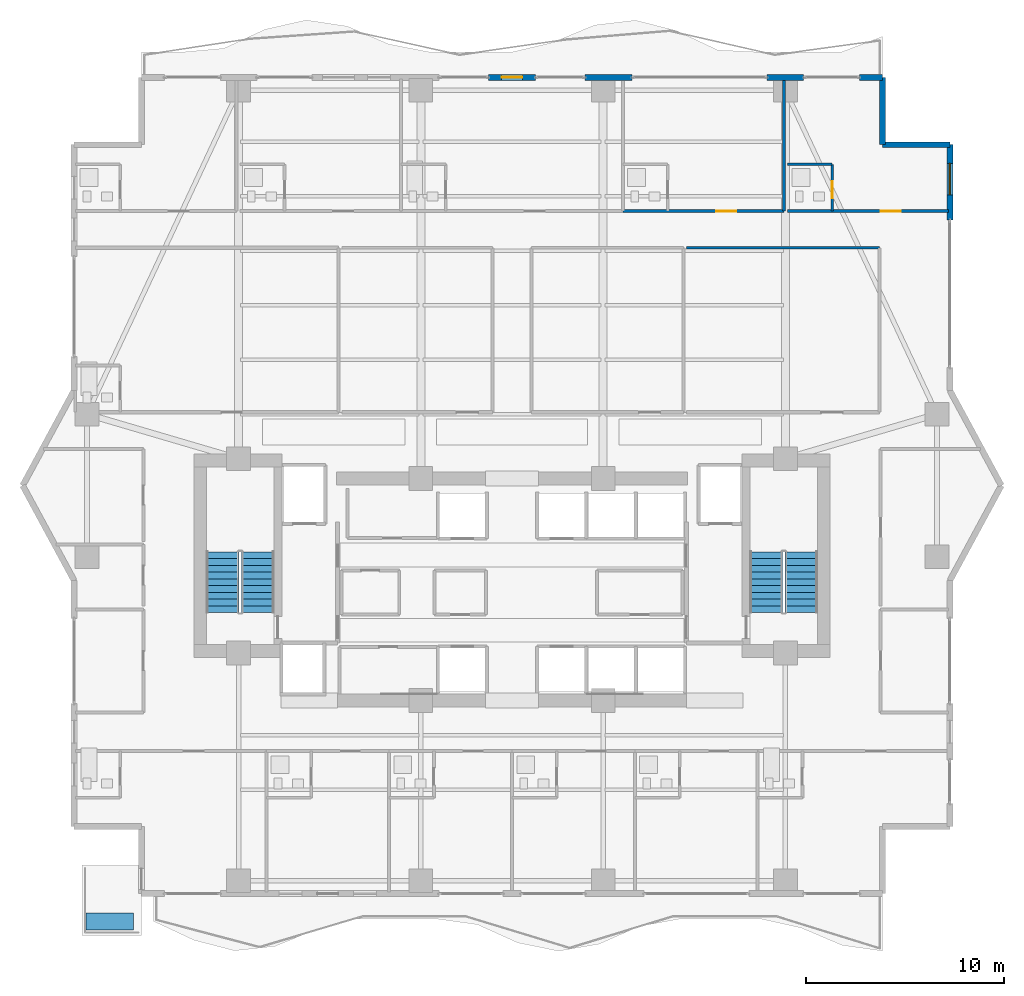
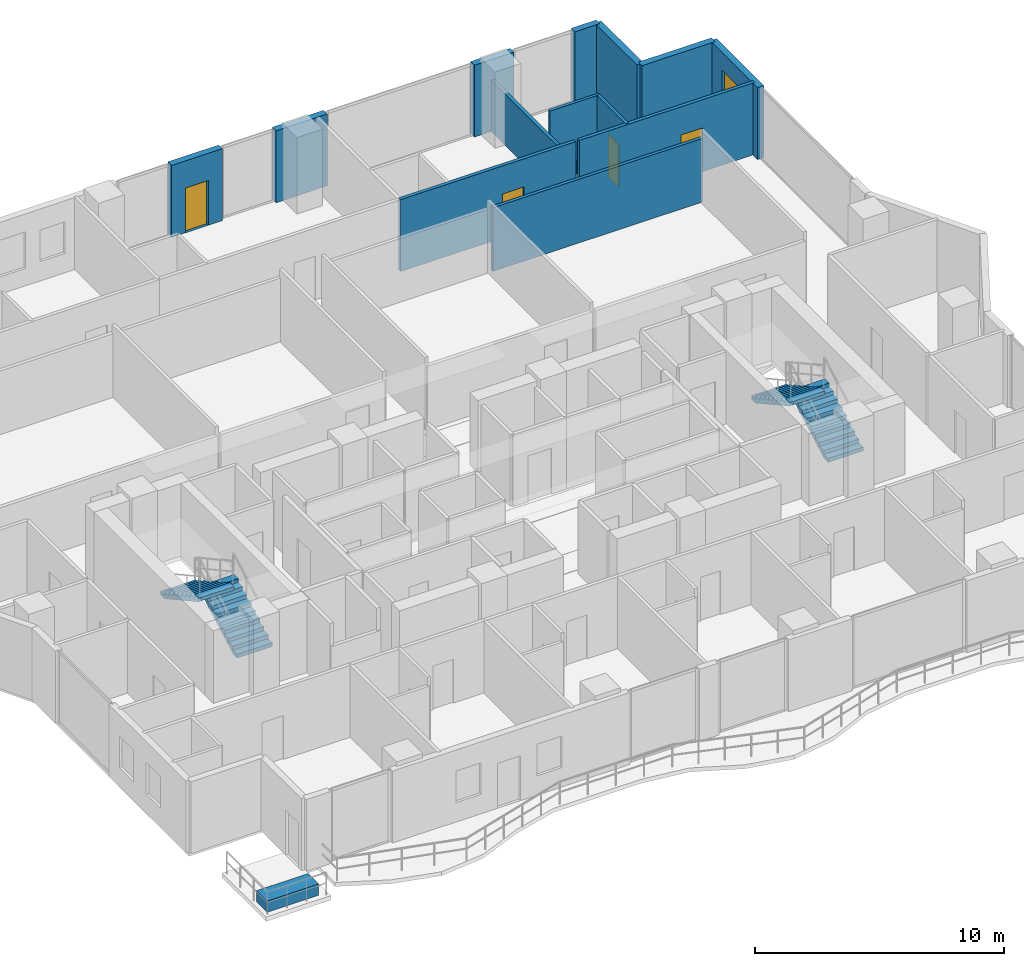
# One storey, part 28 of 32: 13 walls, 4 doors, 4 stair flights, 1 building element part, 1 window, 5 openings, 2 elements without a shape of their own.
"""IFC4 building model written with IfcOpenShell, lengths in metres."""

from ifc_helpers import new_model, si_unit, direction, frame, frame_2d, origin, origin_2d, place, context, subcontext, project, spatial, polyline, rectangle, outline, extrude, material, layer, layer_set, type_object, element, fill, aggregate, save


model = new_model("IFC4")

# Units and contexts
model_context = context("Model", 3, precision=1e-05, world=origin(), true_north=direction((0.0, 1.0)))
body_context = subcontext(model_context, "Body", "Model", "MODEL_VIEW")
ifc_project = project(units=[si_unit("LENGTHUNIT", "METRE"), si_unit("AREAUNIT", "SQUARE_METRE"), si_unit("VOLUMEUNIT", "CUBIC_METRE"), si_unit("PLANEANGLEUNIT", "RADIAN"), si_unit("MASSUNIT", "GRAM", prefix="KILO")], contexts=[model_context])

# Site, building, storey
site_placement = place(None, origin())
site = spatial("IfcSite", under=ifc_project, at=site_placement, CompositionType="ELEMENT")
building_placement = place(site_placement, origin())
building = spatial("IfcBuilding", under=site, at=building_placement, Name="Zuhayl Quay Hotel", CompositionType="ELEMENT")
storey_placement = place(building_placement, frame((0.0, 0.0, 196.14990234375)))
storey = spatial("IfcBuildingStorey", under=building, at=storey_placement, Name="L49", CompositionType="ELEMENT", Elevation=196.14990234375)

# Wall, opening, door
ifc_material_1 = material(Name="Precast concrete C45/55", Category="concrete")
ifc_layer_1 = layer(ifc_material_1, 0.300048828125, Name="Precast concrete C45/55", Category="concrete")
ifc_layer_set_1 = layer_set([ifc_layer_1], Name="Precast concrete C45/55")
wall_type_1 = type_object("IfcWallType", Name="WL_EXT_300", PredefinedType="STANDARD", material=ifc_layer_set_1)
wall_1_placement = place(storey_placement, frame((-1.175048828125, 33.60009765625, 0.0), z_axis=(0.0, 0.0, 1.0), x_axis=(1.0, 0.0, 0.0)))
wall_1 = element("IfcWall", 1, at=wall_1_placement, inside=storey, type_object=wall_type_1, Name="L49 Exterior Precast Wall ENV_L49_N_EW4", PredefinedType="STANDARD", context=body_context, shape_type="SweptSolid", body=[
    extrude(rectangle(XDim=2.35009765625, YDim=0.300048828125, at=frame_2d((1.175048828125, 0.0))), origin(), (0.0, 0.0, 1.0), 3.530029296875),
])
opening_1_placement = place(wall_1_placement, frame((0.64990234375, 0.0, 0.0)))
opening_1 = element("IfcOpeningElement", 2, at=opening_1_placement, cuts=wall_1, Name="Opening DG1", PredefinedType="OPENING", context=body_context, shape_type="SweptSolid", body=[
    extrude(rectangle(XDim=1.050048828125, YDim=2.199951171875, at=frame_2d((0.52490234375, 1.10009765625))), frame((0.0, 0.159912109375, 0.0), z_axis=(0.0, -1.0, 0.0), x_axis=(1.0, 0.0, 0.0)), (0.0, 0.0, 1.0), 0.320068359375),
])
ifc_material_2 = material(Name="Anodised Aluminium and Dark Solar Glass", Category="aluminium")
door_type_1 = type_object("IfcDoorType", Name="DR_EXT_TERR_1050", OperationType="NOTDEFINED", PredefinedType="DOOR", material=ifc_material_2)
door_1_placement = place(opening_1_placement, origin())
door_1 = element("IfcDoor", 3, at=door_1_placement, inside=storey, type_object=door_type_1, Name="L49 North Rippling Balcony Door", OperationType="SINGLE_SWING_LEFT", OverallHeight=2.199951171875, OverallWidth=1.050048828125, PredefinedType="DOOR", context=body_context, shape_type="SweptSolid", body=[
    extrude(rectangle(XDim=1.050048828125, YDim=2.199951171875, at=frame_2d((0.52490234375, 1.10009765625))), frame((0.0, 0.02490234375, 0.0), z_axis=(0.0, -1.0, 0.0), x_axis=(1.0, 0.0, 0.0)), (0.0, 0.0, 1.0), 0.050048828125),
])
fill(opening_1, door_1)

# Walls
wall_2_placement = place(storey_placement, frame((3.679931640625, 33.60009765625, 0.0), z_axis=(0.0, 0.0, 1.0), x_axis=(1.0, 0.0, 0.0)))
element("IfcWall", 4, at=wall_2_placement, inside=storey, type_object=wall_type_1, Name="L49 Exterior Precast Wall ENV_L49_N_EW5", PredefinedType="STANDARD", context=body_context, shape_type="SweptSolid", body=[
    extrude(rectangle(XDim=2.3701171875, YDim=0.300048828125, at=frame_2d((1.18505859375, 0.0))), origin(), (0.0, 0.0, 1.0), 3.530029296875),
])
wall_3_placement = place(storey_placement, frame((12.8798828125, 33.60009765625, 0.0), z_axis=(0.0, 0.0, 1.0), x_axis=(1.0, 0.0, 0.0)))
element("IfcWall", 5, at=wall_3_placement, inside=storey, type_object=wall_type_1, Name="L49 Exterior Precast Wall ENV_L49_N_EW6", PredefinedType="STANDARD", context=body_context, shape_type="SweptSolid", body=[
    extrude(rectangle(XDim=1.840087890625, YDim=0.300048828125, at=frame_2d((0.919921875, 0.0))), origin(), (0.0, 0.0, 1.0), 3.530029296875),
])
wall_4_placement = place(storey_placement, frame((17.550048828125, 33.60009765625, 0.0), z_axis=(0.0, 0.0, 1.0), x_axis=(1.0, 0.0, 0.0)))
element("IfcWall", 6, at=wall_4_placement, inside=storey, type_object=wall_type_1, Name="L49 Exterior Precast Wall ENV_L49_N_EW7", PredefinedType="STANDARD", context=body_context, shape_type="SweptSolid", body=[
    extrude(rectangle(XDim=1.14990234375, YDim=0.300048828125, at=frame_2d((0.574951171875, 0.0))), origin(), (0.0, 0.0, 1.0), 3.530029296875),
])
for number, where, z_axis, x_axis, name in (
    (7, (18.699951171875, 33.60009765625, 0.0), (0.0, 0.0, 1.0), (0.0, -1.0, 0.0), "L49 Exterior Precast Wall ENV_L49_EW09"),
    (8, (18.699951171875, 30.199951171875, 0.0), (0.0, 0.0, 1.0), (1.0, 0.0, 0.0), "L49 Exterior Precast Wall ENV_L49_EW10"),
):
    element("IfcWall", number, at=place(storey_placement, frame(where, z_axis=z_axis, x_axis=x_axis)), inside=storey, type_object=wall_type_1, Name=name, PredefinedType="STANDARD", context=body_context, shape_type="SweptSolid", body=[
        extrude(rectangle(XDim=3.400146484375, YDim=0.300048828125, at=frame_2d((1.7001953125, 0.0))), origin(), (0.0, 0.0, 1.0), 3.530029296875),
    ])

# Wall, opening, window
wall_5_placement = place(storey_placement, frame((22.10009765625, 30.199951171875, 0.0), z_axis=(0.0, 0.0, 1.0), x_axis=(0.0, -1.0, 0.0)))
wall_5 = element("IfcWall", 9, at=wall_5_placement, inside=storey, type_object=wall_type_1, Name="L49 Exterior Precast Wall ENV_L49_E11_EW1", PredefinedType="STANDARD", context=body_context, shape_type="SweptSolid", body=[
    extrude(rectangle(XDim=3.800048828125, YDim=0.300048828125, at=frame_2d((1.89990234375, 0.0))), origin(), (0.0, 0.0, 1.0), 3.530029296875),
])
opening_2_placement = place(wall_5_placement, frame((0.93505859375, 0.0, 0.85009765625)))
opening_2 = element("IfcOpeningElement", 10, at=opening_2_placement, cuts=wall_5, Name="Opening W01", PredefinedType="OPENING", context=body_context, shape_type="SweptSolid", body=[
    extrude(rectangle(XDim=1.60009765625, YDim=1.800048828125, at=frame_2d((0.800048828125, 0.89990234375))), frame((0.0, 0.159912109375, 0.0), z_axis=(0.0, -1.0, 0.0), x_axis=(1.0, 0.0, 0.0)), (0.0, 0.0, 1.0), 0.320068359375),
])
ifc_material_3 = material(Name="Dark Ceramic-Fritted Solar Glass", Category="glass")
window_type = type_object("IfcWindowType", Name="WN_OPERABLE_1600", PartitioningType="DOUBLE_PANEL_VERTICAL", PredefinedType="WINDOW", material=ifc_material_3)
window_placement = place(opening_2_placement, origin())
window = element("IfcWindow", 11, at=window_placement, inside=storey, type_object=window_type, Name="L49 Operable Facade Window 1-1", OverallHeight=1.800048828125, OverallWidth=1.60009765625, PartitioningType="SINGLE_PANEL", PredefinedType="WINDOW", context=body_context, shape_type="SweptSolid", body=[
    extrude(rectangle(XDim=1.60009765625, YDim=1.800048828125, at=frame_2d((0.800048828125, 0.89990234375))), frame((0.0, 0.030029296875, 0.0), z_axis=(0.0, -1.0, 0.0), x_axis=(1.0, 0.0, 0.0)), (0.0, 0.0, 1.0), 0.06005859375),
])
fill(opening_2, window)

# Walls
ifc_material_4 = material(Name="Acoustic Gypsum Partition STC-58")
ifc_layer_2 = layer(ifc_material_4, 0.14990234375, Name="Acoustic Gypsum Partition STC-58")
ifc_layer_set_2 = layer_set([ifc_layer_2], Name="Acoustic Gypsum Partition STC-58")
wall_type_2 = type_object("IfcWallType", Name="WL_PART_150", PredefinedType="PARTITIONING", material=ifc_layer_set_2)
wall_6_placement = place(storey_placement, frame((13.739990234375, 26.85009765625, 0.0), z_axis=(0.0, 0.0, 1.0), x_axis=(0.0, 1.0, 0.0)))
element("IfcWall", 12, at=wall_6_placement, inside=storey, type_object=wall_type_2, Name="L49 Partition IW_L49_NU03A_E", PredefinedType="PARTITIONING", context=body_context, shape_type="SweptSolid", body=[
    extrude(rectangle(XDim=6.669921875, YDim=0.14990234375, at=frame_2d((3.3349609375, 0.0))), origin(), (0.0, 0.0, 1.0), 2.51904296875),
])
wall_7_placement = place(storey_placement, frame((8.81005859375, 25.0, 0.0), z_axis=(0.0, 0.0, 1.0), x_axis=(1.0, 0.0, 0.0)))
element("IfcWall", 13, at=wall_7_placement, inside=storey, type_object=wall_type_2, Name="L49 Partition IW_L49_Z3_SAL_E2_N", PredefinedType="PARTITIONING", context=body_context, shape_type="SweptSolid", body=[
    extrude(rectangle(XDim=9.739990234375, YDim=0.14990234375, at=frame_2d((4.8701171875, 0.0))), origin(), (0.0, 0.0, 1.0), 3.1240234375),
])

# Wall, opening, door
ifc_layer_3 = layer(ifc_material_4, 0.159912109375, Name="Acoustic Gypsum Partition STC-58")
ifc_layer_set_3 = layer_set([ifc_layer_3], Name="Acoustic Gypsum Partition STC-58")
wall_type_3 = type_object("IfcWallType", Name="WL_PART_CORR_160", PredefinedType="PARTITIONING", material=ifc_layer_set_3)
wall_8_placement = place(storey_placement, frame((5.60009765625, 26.85009765625, 0.0), z_axis=(0.0, 0.0, 1.0), x_axis=(1.0, 0.0, 0.0)))
wall_8 = element("IfcWall", 14, at=wall_8_placement, inside=storey, type_object=wall_type_3, Name="L49 Partition IW_L49_NU03A_COR", PredefinedType="PARTITIONING", context=body_context, shape_type="SweptSolid", body=[
    extrude(rectangle(XDim=8.139892578125, YDim=0.159912109375, at=frame_2d((4.06982421875, 0.0))), origin(), (0.0, 0.0, 1.0), 3.530029296875),
])
opening_3_placement = place(wall_8_placement, frame((4.719970703125, 0.0, 0.0)))
opening_3 = element("IfcOpeningElement", 15, at=opening_3_placement, cuts=wall_8, Name="Opening D03L", PredefinedType="OPENING", context=body_context, shape_type="SweptSolid", body=[
    extrude(rectangle(XDim=1.0, YDim=2.14990234375, at=frame_2d((0.5, 1.074951171875))), frame((0.0, 0.08984375, 0.0), z_axis=(0.0, -1.0, 0.0), x_axis=(1.0, 0.0, 0.0)), (0.0, 0.0, 1.0), 0.179931640625),
])
ifc_material_5 = material(Name="Solid Walnut Acoustic Fire Door")
door_type_2 = type_object("IfcDoorType", Name="DR_SUITE_1000", OperationType="NOTDEFINED", PredefinedType="DOOR", material=ifc_material_5)
door_2_placement = place(opening_3_placement, origin())
door_2 = element("IfcDoor", 16, at=door_2_placement, inside=storey, type_object=door_type_2, Name="L49 Panoramic Gulf Suite L49-03A Entrance Door", OperationType="SINGLE_SWING_LEFT", OverallHeight=2.14990234375, OverallWidth=1.0, PredefinedType="DOOR", context=body_context, shape_type="SweptSolid", body=[
    extrude(rectangle(XDim=1.0, YDim=2.14990234375, at=frame_2d((0.5, 1.074951171875))), frame((0.0, 0.02490234375, 0.0), z_axis=(0.0, -1.0, 0.0), x_axis=(1.0, 0.0, 0.0)), (0.0, 0.0, 1.0), 0.050048828125),
])
fill(opening_3, door_2)

wall_9_placement = place(storey_placement, frame((13.89990234375, 26.85009765625, 0.0), z_axis=(0.0, 0.0, 1.0), x_axis=(1.0, 0.0, 0.0)))
wall_9 = element("IfcWall", 17, at=wall_9_placement, inside=storey, type_object=wall_type_3, Name="L49 Partition IW_L49_NU03B_COR", PredefinedType="PARTITIONING", context=body_context, shape_type="SweptSolid", body=[
    extrude(rectangle(XDim=8.14013671875, YDim=0.159912109375, at=frame_2d((4.070068359375, 0.0))), origin(), (0.0, 0.0, 1.0), 3.530029296875),
])
opening_4_placement = place(wall_9_placement, frame((4.719970703125, 0.0, 0.0)))
opening_4 = element("IfcOpeningElement", 18, at=opening_4_placement, cuts=wall_9, Name="Opening D03L", PredefinedType="OPENING", context=body_context, shape_type="SweptSolid", body=[
    extrude(rectangle(XDim=1.0, YDim=2.14990234375, at=frame_2d((0.5, 1.074951171875))), frame((0.0, 0.08984375, 0.0), z_axis=(0.0, -1.0, 0.0), x_axis=(1.0, 0.0, 0.0)), (0.0, 0.0, 1.0), 0.179931640625),
])
door_3_placement = place(opening_4_placement, origin())
door_3 = element("IfcDoor", 19, at=door_3_placement, inside=storey, type_object=door_type_2, Name="L49 Panoramic Gulf Suite L49-03B Entrance Door", OperationType="SINGLE_SWING_LEFT", OverallHeight=2.14990234375, OverallWidth=1.0, PredefinedType="DOOR", context=body_context, shape_type="SweptSolid", body=[
    extrude(rectangle(XDim=1.0, YDim=2.14990234375, at=frame_2d((0.5, 1.074951171875))), frame((0.0, 0.02490234375, 0.0), z_axis=(0.0, -1.0, 0.0), x_axis=(1.0, 0.0, 0.0)), (0.0, 0.0, 1.0), 0.050048828125),
])
fill(opening_4, door_3)

ifc_material_6 = material(Name="Moisture-Resistant Sanitarychase Gypsum")
ifc_layer_4 = layer(ifc_material_6, 0.135009765625, Name="Moisture-Resistant Sanitarychase Gypsum")
ifc_layer_set_4 = layer_set([ifc_layer_4], Name="Moisture-Resistant Sanitarychase Gypsum")
wall_type_4 = type_object("IfcWallType", Name="WL_PART_PLUMB_150", PredefinedType="PLUMBINGWALL", material=ifc_layer_set_4)
wall_10_placement = place(storey_placement, frame((16.159912109375, 26.85009765625, 0.0), z_axis=(0.0, 0.0, 1.0), x_axis=(0.0, 1.0, 0.0)))
wall_10 = element("IfcWall", 20, at=wall_10_placement, inside=storey, type_object=wall_type_4, Name="L49 Partition IW_L49_NU03B_BE", PredefinedType="PLUMBINGWALL", context=body_context, shape_type="SweptSolid", body=[
    extrude(rectangle(XDim=2.35986328125, YDim=0.135009765625, at=frame_2d((1.179931640625, 0.0))), origin(), (0.0, 0.0, 1.0), 3.530029296875),
])
opening_5_placement = place(wall_10_placement, frame((0.64990234375, 0.0, 0.0)))
opening_5 = element("IfcOpeningElement", 21, at=opening_5_placement, cuts=wall_10, Name="Opening D04", PredefinedType="OPENING", context=body_context, shape_type="SweptSolid", body=[
    extrude(rectangle(XDim=0.85009765625, YDim=2.10009765625, at=frame_2d((0.425048828125, 1.050048828125))), frame((0.0, 0.077392578125, 0.0), z_axis=(0.0, -1.0, 0.0), x_axis=(1.0, 0.0, 0.0)), (0.0, 0.0, 1.0), 0.155029296875),
])
ifc_material_7 = material(Name="Moisture-Resistant Walnut Veneer")
door_type_3 = type_object("IfcDoorType", Name="DR_BATH_850", OperationType="NOTDEFINED", PredefinedType="DOOR", material=ifc_material_7)
door_4_placement = place(opening_5_placement, origin())
door_4 = element("IfcDoor", 22, at=door_4_placement, inside=storey, type_object=door_type_3, Name="L49 Panoramic Gulf Suite L49-03B En-Suite Door", OperationType="SINGLE_SWING_RIGHT", OverallHeight=2.10009765625, OverallWidth=0.85009765625, PredefinedType="DOOR", context=body_context, shape_type="SweptSolid", body=[
    extrude(rectangle(XDim=0.85009765625, YDim=2.10009765625, at=frame_2d((0.425048828125, 1.050048828125))), frame((0.0, 0.02490234375, 0.0), z_axis=(0.0, -1.0, 0.0), x_axis=(1.0, 0.0, 0.0)), (0.0, 0.0, 1.0), 0.050048828125),
])
fill(opening_5, door_4)

# Wall
wall_11_placement = place(storey_placement, frame((13.89990234375, 29.2099609375, 0.0), z_axis=(0.0, 0.0, 1.0), x_axis=(1.0, 0.0, 0.0)))
element("IfcWall", 23, at=wall_11_placement, inside=storey, type_object=wall_type_4, Name="L49 Partition IW_L49_NU03B_BN", PredefinedType="PLUMBINGWALL", context=body_context, shape_type="SweptSolid", body=[
    extrude(rectangle(XDim=2.260009765625, YDim=0.135009765625, at=frame_2d((1.1298828125, 0.0))), origin(), (0.0, 0.0, 1.0), 3.530029296875),
])

# Stair, stair flights
ifc_material_8 = material(Name="Concrete C45/55", Category="concrete")
stair_type = type_object("IfcStairType", Name="ST_DOGLEG_TOWER", PredefinedType="HALF_TURN_STAIR", material=ifc_material_8)
stair_1_placement = place(storey_placement, origin())
stair_1 = element("IfcStair", 24, at=stair_1_placement, inside=storey, type_object=stair_type, Name="L49 Smokeproof Exit Stair ST1", PredefinedType="HALF_TURN_STAIR")
ifc_layer_5 = layer(ifc_material_8, 0.159912109375, Name="Concrete C45/55", Category="concrete")
ifc_layer_set_5 = layer_set([ifc_layer_5], Name="Concrete C45/55")
stair_flight_type = type_object("IfcStairFlightType", Name="SF_CONC_164", PredefinedType="STRAIGHT", material=ifc_layer_set_5)
stair_flight_1_placement = place(storey_placement, frame((-12.820068359375, 6.590087890625, 0.0), z_axis=(0.0, 0.0, 1.0), x_axis=(0.0, 1.0, 0.0)))
stair_flight_1 = element("IfcStairFlight", 25, at=stair_flight_1_placement, type_object=stair_flight_type, Name="ST1 flight 1", NumberOfRisers=10, NumberOfTreads=9, PredefinedType="STRAIGHT", RiserHeight=0.1875, TreadLength=0.34, context=body_context, shape_type="SweptSolid", body=[
    extrude(outline(polyline([(0.0, 0.0), (0.0, 0.1875), (0.340087890625, 0.1875), (0.340087890625, 0.375), (0.679931640625, 0.375), (0.679931640625, 0.5625), (1.02001953125, 0.5625), (1.02001953125, 0.75), (1.360107421875, 0.75), (1.360107421875, 0.9375), (1.699951171875, 0.9375), (1.699951171875, 1.125), (2.0400390625, 1.125), (2.0400390625, 1.3125), (2.3798828125, 1.3125), (2.3798828125, 1.5), (2.719970703125, 1.5), (2.719970703125, 1.6875), (3.06005859375, 1.6875), (3.06005859375, 1.875), (3.06005859375, 1.516357421875), (0.310302734375, 0.0), (0.0, 0.0)])), frame((0.0, 0.81982421875, 0.0), z_axis=(0.0, -1.0, 0.0), x_axis=(1.0, 0.0, 0.0)), (0.0, 0.0, 1.0), 1.639892578125),
])
stair_flight_2_placement = place(storey_placement, frame((-14.610107421875, 9.64990234375, 1.875), z_axis=(0.0, 0.0, 1.0), x_axis=(0.0, -1.0, 0.0)))
stair_flight_2 = element("IfcStairFlight", 26, at=stair_flight_2_placement, type_object=stair_flight_type, Name="ST1 flight 2", NumberOfRisers=10, NumberOfTreads=9, PredefinedType="STRAIGHT", RiserHeight=0.1875, TreadLength=0.34, context=body_context, shape_type="SweptSolid", body=[
    extrude(outline(polyline([(0.0, 0.0), (0.0, 0.1875), (0.340087890625, 0.1875), (0.340087890625, 0.375), (0.679931640625, 0.375), (0.679931640625, 0.5625), (1.02001953125, 0.5625), (1.02001953125, 0.75), (1.360107421875, 0.75), (1.360107421875, 0.9375), (1.699951171875, 0.9375), (1.699951171875, 1.125), (2.0400390625, 1.125), (2.0400390625, 1.3125), (2.3798828125, 1.3125), (2.3798828125, 1.5), (2.719970703125, 1.5), (2.719970703125, 1.6875), (3.06005859375, 1.6875), (3.06005859375, 1.875), (3.06005859375, 1.516357421875), (0.310302734375, 0.0), (0.0, 0.0)])), frame((0.0, 0.81982421875, 0.0), z_axis=(0.0, -1.0, 0.0), x_axis=(1.0, 0.0, 0.0)), (0.0, 0.0, 1.0), 1.639892578125),
])
aggregate(stair_1, [stair_flight_1, stair_flight_2])

stair_2_placement = place(storey_placement, origin())
stair_2 = element("IfcStair", 27, at=stair_2_placement, inside=storey, type_object=stair_type, Name="L49 Smokeproof Exit Stair ST2", PredefinedType="HALF_TURN_STAIR")
stair_flight_3_placement = place(storey_placement, frame((14.610107421875, 6.590087890625, 0.0), z_axis=(0.0, 0.0, 1.0), x_axis=(0.0, 1.0, 0.0)))
stair_flight_3 = element("IfcStairFlight", 28, at=stair_flight_3_placement, type_object=stair_flight_type, Name="ST2 flight 1", NumberOfRisers=10, NumberOfTreads=9, PredefinedType="STRAIGHT", RiserHeight=0.1875, TreadLength=0.34, context=body_context, shape_type="SweptSolid", body=[
    extrude(outline(polyline([(0.0, 0.0), (0.0, 0.1875), (0.340087890625, 0.1875), (0.340087890625, 0.375), (0.679931640625, 0.375), (0.679931640625, 0.5625), (1.02001953125, 0.5625), (1.02001953125, 0.75), (1.360107421875, 0.75), (1.360107421875, 0.9375), (1.699951171875, 0.9375), (1.699951171875, 1.125), (2.0400390625, 1.125), (2.0400390625, 1.3125), (2.3798828125, 1.3125), (2.3798828125, 1.5), (2.719970703125, 1.5), (2.719970703125, 1.6875), (3.06005859375, 1.6875), (3.06005859375, 1.875), (3.06005859375, 1.516357421875), (0.310302734375, 0.0), (0.0, 0.0)])), frame((0.0, 0.81982421875, 0.0), z_axis=(0.0, -1.0, 0.0), x_axis=(1.0, 0.0, 0.0)), (0.0, 0.0, 1.0), 1.639892578125),
])
stair_flight_4_placement = place(storey_placement, frame((12.820068359375, 9.64990234375, 1.875), z_axis=(0.0, 0.0, 1.0), x_axis=(0.0, -1.0, 0.0)))
stair_flight_4 = element("IfcStairFlight", 29, at=stair_flight_4_placement, type_object=stair_flight_type, Name="ST2 flight 2", NumberOfRisers=10, NumberOfTreads=9, PredefinedType="STRAIGHT", RiserHeight=0.1875, TreadLength=0.34, context=body_context, shape_type="SweptSolid", body=[
    extrude(outline(polyline([(0.0, 0.0), (0.0, 0.1875), (0.340087890625, 0.1875), (0.340087890625, 0.375), (0.679931640625, 0.375), (0.679931640625, 0.5625), (1.02001953125, 0.5625), (1.02001953125, 0.75), (1.360107421875, 0.75), (1.360107421875, 0.9375), (1.699951171875, 0.9375), (1.699951171875, 1.125), (2.0400390625, 1.125), (2.0400390625, 1.3125), (2.3798828125, 1.3125), (2.3798828125, 1.5), (2.719970703125, 1.5), (2.719970703125, 1.6875), (3.06005859375, 1.6875), (3.06005859375, 1.875), (3.06005859375, 1.516357421875), (0.310302734375, 0.0), (0.0, 0.0)])), frame((0.0, 0.81982421875, 0.0), z_axis=(0.0, -1.0, 0.0), x_axis=(1.0, 0.0, 0.0)), (0.0, 0.0, 1.0), 1.639892578125),
])
aggregate(stair_2, [stair_flight_3, stair_flight_4])

# Building element part
ifc_layer_6 = layer(ifc_material_1, 0.550048828125, Name="Precast concrete C45/55", Category="concrete")
ifc_layer_set_6 = layer_set([ifc_layer_6], Name="Precast concrete C45/55")
building_element_part_type = type_object("IfcBuildingElementPartType", Name="PT_PLANTER_KERB", PredefinedType="PRECASTPANEL", material=ifc_layer_set_6)
building_element_part_placement = place(storey_placement, frame((-20.31005859375, -9.010009765625, 0.0), z_axis=(0.0, 0.0, 1.0), x_axis=(1.0, 0.0, 0.0)))
element("IfcBuildingElementPart", 30, at=building_element_part_placement, inside=storey, type_object=building_element_part_type, Name="L49 Spiral Sky-Terrace Planter Box SW", PredefinedType="PRECASTPANEL", context=body_context, shape_type="SweptSolid", body=[
    extrude(rectangle(XDim=2.39990234375, YDim=0.85009765625, at=origin_2d()), origin(), (0.0, 0.0, 1.0), 0.550048828125),
])

save(model, "model.ifc")
